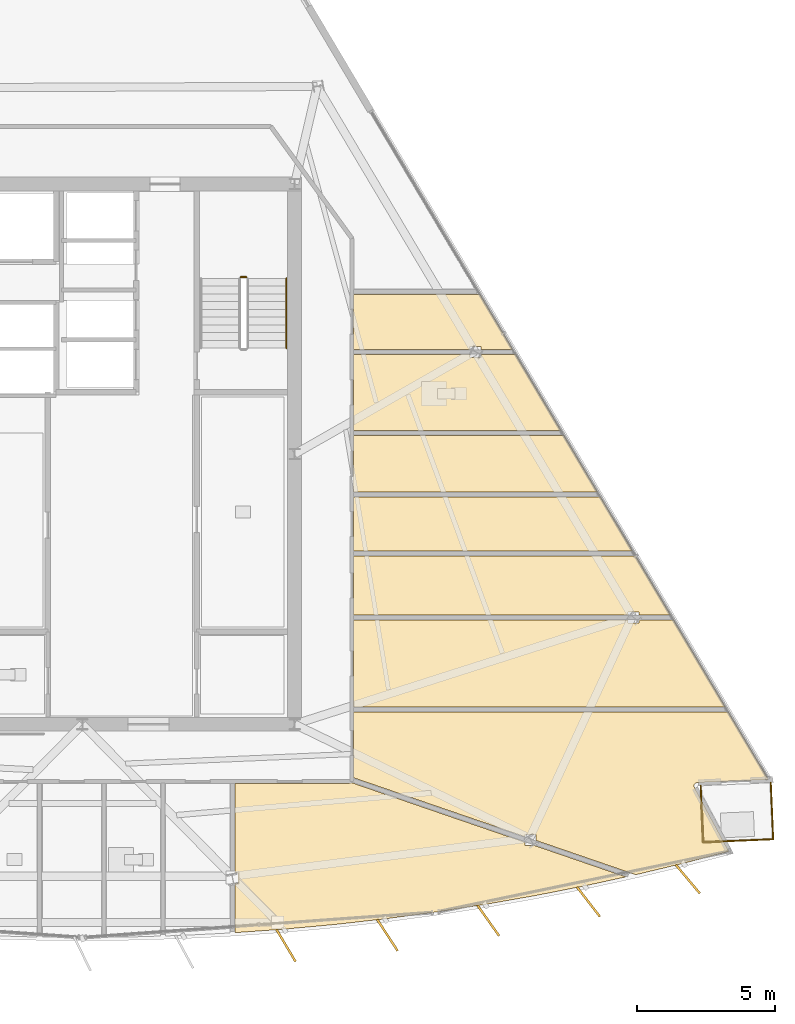
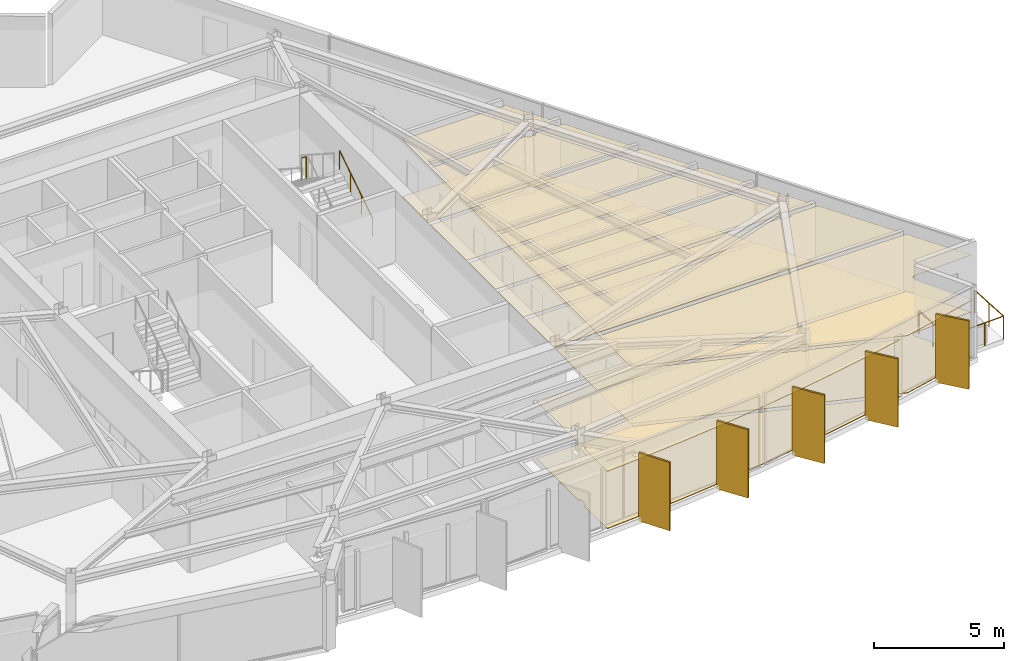
# One storey, part 13 of 14: 16 coverings, 5 railings, 5 shading devices.
"""IFC4 building model written with IfcOpenShell, lengths in metres."""

from ifc_helpers import new_model, si_unit, direction, frame, origin, origin_2d, place, context, subcontext, project, spatial, polyline, rectangle, circle, outline, extrude, material, layer, layer_set, type_object, element, save


model = new_model("IFC4")

# Units and contexts
model_context = context("Model", 3, precision=1e-05, world=origin(), true_north=direction((0.0, 1.0)))
body_context = subcontext(model_context, "Body", "Model", "MODEL_VIEW")
ifc_project = project(units=[si_unit("LENGTHUNIT", "METRE"), si_unit("AREAUNIT", "SQUARE_METRE"), si_unit("VOLUMEUNIT", "CUBIC_METRE"), si_unit("PLANEANGLEUNIT", "RADIAN"), si_unit("MASSUNIT", "GRAM", prefix="KILO")], contexts=[model_context])

# Site, building, storey
site_placement = place(None, origin())
site = spatial("IfcSite", under=ifc_project, at=site_placement, CompositionType="ELEMENT")
building_placement = place(site_placement, origin())
building = spatial("IfcBuilding", under=site, at=building_placement, Name="Savorim Split Tower", CompositionType="ELEMENT")
storey_placement = place(building_placement, frame((0.0, 0.0, 230.699951171875)))
storey = spatial("IfcBuildingStorey", under=building, at=storey_placement, Name="L61", CompositionType="ELEMENT", Elevation=230.699951171875)

# Coverings
ifc_material_1 = material(Name="Mineral Fibre Acoustic Ceiling")
ifc_layer_1 = layer(ifc_material_1, 0.02490234375)
ifc_layer_set_1 = layer_set([ifc_layer_1], Name="COV-CEIL-25")
covering_type_1 = type_object("IfcCoveringType", Name="COV-CEIL-25", PredefinedType="CEILING", material=ifc_layer_set_1)
covering_1_placement = place(storey_placement, frame((0.0, 0.0, 2.670166015625)))
element("IfcCovering", 1, at=covering_1_placement, inside=storey, type_object=covering_type_1, Name="L61 Co-Working Commons Acoustic Ceiling", PredefinedType="CEILING", context=body_context, shape_type="SweptSolid", body=[
    extrude(outline(polyline([(14.62841796875, -15.9326171875), (16.4375, -15.61474609375), (18.23974609375, -15.260009765625), (19.718505859375, -14.937255859375), (16.3779296875, -13.78955078125), (16.06591796875, -13.78955078125), (16.06591796875, -13.682373046875), (9.772216796875, -11.519775390625), (9.76611328125, -11.5234375), (9.753662109375, -11.529296875), (9.740478515625, -11.533935546875), (9.727294921875, -11.537353515625), (9.713623046875, -11.539306640625), (9.699951171875, -11.5400390625), (5.54541015625, -11.5400390625), (5.54541015625, -14.785888671875), (5.6474609375, -14.785888671875), (5.6474609375, -15.177734375), (5.54541015625, -15.177734375), (5.54541015625, -16.91650390625), (5.54541015625, -16.9609375), (7.3388671875, -16.832275390625), (9.167724609375, -16.663330078125), (10.992919921875, -16.45703125), (12.8134765625, -16.21337890625), (14.62841796875, -15.9326171875)])), origin(), (0.0, 0.0, 1.0), 0.02490234375),
])
covering_2_placement = place(storey_placement, frame((0.0, 0.0, 2.670166015625)))
element("IfcCovering", 2, at=covering_2_placement, inside=storey, type_object=covering_type_1, Name="L61 Maker Workshop Acoustic Ceiling", PredefinedType="CEILING", context=body_context, shape_type="SweptSolid", body=[
    extrude(outline(polyline([(22.282958984375, -11.518310546875), (22.294189453125, -11.516357421875), (22.305908203125, -11.51513671875), (24.887451171875, -11.405517578125), (23.43212890625, -8.958251953125), (9.840087890625, -8.958251953125), (9.840087890625, -11.34228515625), (16.06591796875, -13.4814453125), (16.06591796875, -13.397705078125), (16.4599609375, -13.397705078125), (16.4599609375, -13.61669921875), (20.074462890625, -14.85888671875), (21.8203125, -14.440185546875), (23.450927734375, -14.013671875), (22.205078125, -11.69189453125), (22.2001953125, -11.681396484375), (22.1962890625, -11.670654296875), (22.193359375, -11.659423828125), (22.191650390625, -11.64794921875), (22.19091796875, -11.636474609375), (22.19140625, -11.625), (22.19287109375, -11.613525390625), (22.195556640625, -11.602294921875), (22.19921875, -11.59130859375), (22.203857421875, -11.580810546875), (22.209716796875, -11.57080078125), (22.21630859375, -11.561279296875), (22.223876953125, -11.552490234375), (22.232177734375, -11.544677734375), (22.2412109375, -11.537353515625), (22.2509765625, -11.53125), (22.26123046875, -11.52587890625), (22.27197265625, -11.521484375), (22.282958984375, -11.518310546875)])), origin(), (0.0, 0.0, 1.0), 0.02490234375),
])
covering_3_placement = place(storey_placement, frame((0.0, 0.0, 2.670166015625)))
element("IfcCovering", 3, at=covering_3_placement, inside=storey, type_object=covering_type_1, Name="L61 Co-Living Bedroom Acoustic Ceiling", PredefinedType="CEILING", context=body_context, shape_type="SweptSolid", body=[
    extrude(outline(polyline([(19.800048828125, -5.720947265625), (19.800048828125, -5.619873046875), (9.840087890625, -5.619873046875), (9.840087890625, -8.768310546875), (23.3193359375, -8.768310546875), (21.427490234375, -5.5869140625), (21.427490234375, -5.619873046875), (20.194091796875, -5.619873046875), (20.194091796875, -5.720947265625), (19.800048828125, -5.720947265625)])), origin(), (0.0, 0.0, 1.0), 0.02490234375),
])
covering_4_placement = place(storey_placement, frame((0.0, 0.0, 2.670166015625)))
element("IfcCovering", 4, at=covering_4_placement, inside=storey, type_object=covering_type_1, Name="L61 Quiet Study Room Acoustic Ceiling", PredefinedType="CEILING", context=body_context, shape_type="SweptSolid", body=[
    extrude(outline(polyline([(20.194091796875, -5.328857421875), (20.194091796875, -5.429931640625), (21.33251953125, -5.429931640625), (21.334228515625, -5.429931640625), (20.068115234375, -3.30029296875), (9.840087890625, -3.30029296875), (9.840087890625, -5.429931640625), (19.800048828125, -5.429931640625), (19.800048828125, -5.328857421875), (20.194091796875, -5.328857421875)])), origin(), (0.0, 0.0, 1.0), 0.02490234375),
])
covering_5_placement = place(storey_placement, frame((0.0, 0.0, 2.670166015625)))
element("IfcCovering", 5, at=covering_5_placement, inside=storey, type_object=covering_type_1, Name="L61 Quiet Study Room Acoustic Ceiling", PredefinedType="CEILING", context=body_context, shape_type="SweptSolid", body=[
    extrude(outline(polyline([(19.955078125, -3.1103515625), (18.793212890625, -1.156494140625), (9.840087890625, -1.156494140625), (9.840087890625, -3.1103515625), (19.955078125, -3.1103515625)])), origin(), (0.0, 0.0, 1.0), 0.02490234375),
])
covering_6_placement = place(storey_placement, frame((0.0, 0.0, 2.670166015625)))
element("IfcCovering", 6, at=covering_6_placement, inside=storey, type_object=covering_type_1, Name="L61 Co-Living Bedroom Acoustic Ceiling", PredefinedType="CEILING", context=body_context, shape_type="SweptSolid", body=[
    extrude(outline(polyline([(18.68017578125, -0.96630859375), (17.466064453125, 1.075439453125), (9.840087890625, 1.075439453125), (9.840087890625, -0.96630859375), (18.68017578125, -0.96630859375)])), origin(), (0.0, 0.0, 1.0), 0.02490234375),
])
covering_7_placement = place(storey_placement, frame((0.0, 0.0, 2.670166015625)))
element("IfcCovering", 7, at=covering_7_placement, inside=storey, type_object=covering_type_1, Name="L61 Shared Bathroom Acoustic Ceiling", PredefinedType="CEILING", context=body_context, shape_type="SweptSolid", body=[
    extrude(outline(polyline([(14.07177734375, 3.91259765625), (14.07177734375, 4.013671875), (9.840087890625, 4.013671875), (9.840087890625, 1.265380859375), (17.35302734375, 1.265380859375), (15.69921875, 4.046630859375), (15.69921875, 4.013671875), (14.4658203125, 4.013671875), (14.4658203125, 3.91259765625), (14.07177734375, 3.91259765625)])), origin(), (0.0, 0.0, 1.0), 0.02490234375),
])
covering_8_placement = place(storey_placement, frame((0.0, 0.0, 2.670166015625)))
element("IfcCovering", 8, at=covering_8_placement, inside=storey, type_object=covering_type_1, Name="L61 Quiet Study Room Acoustic Ceiling", PredefinedType="CEILING", context=body_context, shape_type="SweptSolid", body=[
    extrude(outline(polyline([(14.4658203125, 4.20361328125), (15.604248046875, 4.20361328125), (15.60595703125, 4.20361328125), (14.422119140625, 6.194580078125), (9.840087890625, 6.194580078125), (9.840087890625, 4.20361328125), (14.07177734375, 4.20361328125), (14.07177734375, 4.3046875), (14.4658203125, 4.3046875), (14.4658203125, 4.20361328125)])), origin(), (0.0, 0.0, 1.0), 0.02490234375),
])
ifc_material_2 = material(Name="Porcelain Stoneware Flooring", Category="masonry")
ifc_layer_2 = layer(ifc_material_2, 0.02001953125)
ifc_layer_set_2 = layer_set([ifc_layer_2], Name="COV-FLOR-20")
covering_type_2 = type_object("IfcCoveringType", Name="COV-FLOR-20", PredefinedType="FLOORING", material=ifc_layer_set_2)
covering_9_placement = place(storey_placement, origin())
element("IfcCovering", 9, at=covering_9_placement, inside=storey, type_object=covering_type_2, Name="L61 Co-Working Commons Porcelain Flooring", PredefinedType="FLOORING", context=body_context, shape_type="SweptSolid", body=[
    extrude(outline(polyline([(14.62841796875, -15.9326171875), (16.4375, -15.61474609375), (18.23974609375, -15.260009765625), (19.718505859375, -14.937255859375), (16.3779296875, -13.78955078125), (16.06591796875, -13.78955078125), (16.06591796875, -13.682373046875), (9.772216796875, -11.519775390625), (9.76611328125, -11.5234375), (9.753662109375, -11.529296875), (9.740478515625, -11.533935546875), (9.727294921875, -11.537353515625), (9.713623046875, -11.539306640625), (9.699951171875, -11.5400390625), (5.54541015625, -11.5400390625), (5.54541015625, -14.785888671875), (5.6474609375, -14.785888671875), (5.6474609375, -15.177734375), (5.54541015625, -15.177734375), (5.54541015625, -16.91650390625), (5.54541015625, -16.9609375), (7.3388671875, -16.832275390625), (9.167724609375, -16.663330078125), (10.992919921875, -16.45703125), (12.8134765625, -16.21337890625), (14.62841796875, -15.9326171875)])), origin(), (0.0, 0.0, 1.0), 0.02001953125),
])
covering_10_placement = place(storey_placement, origin())
element("IfcCovering", 10, at=covering_10_placement, inside=storey, type_object=covering_type_2, Name="L61 Maker Workshop Porcelain Flooring", PredefinedType="FLOORING", context=body_context, shape_type="SweptSolid", body=[
    extrude(outline(polyline([(22.282958984375, -11.518310546875), (22.294189453125, -11.516357421875), (22.305908203125, -11.51513671875), (24.887451171875, -11.405517578125), (23.43212890625, -8.958251953125), (9.840087890625, -8.958251953125), (9.840087890625, -11.34228515625), (16.06591796875, -13.4814453125), (16.06591796875, -13.397705078125), (16.4599609375, -13.397705078125), (16.4599609375, -13.61669921875), (20.074462890625, -14.85888671875), (21.8203125, -14.440185546875), (23.450927734375, -14.013671875), (22.205078125, -11.69189453125), (22.2001953125, -11.681396484375), (22.1962890625, -11.670654296875), (22.193359375, -11.659423828125), (22.191650390625, -11.64794921875), (22.19091796875, -11.636474609375), (22.19140625, -11.625), (22.19287109375, -11.613525390625), (22.195556640625, -11.602294921875), (22.19921875, -11.59130859375), (22.203857421875, -11.580810546875), (22.209716796875, -11.57080078125), (22.21630859375, -11.561279296875), (22.223876953125, -11.552490234375), (22.232177734375, -11.544677734375), (22.2412109375, -11.537353515625), (22.2509765625, -11.53125), (22.26123046875, -11.52587890625), (22.27197265625, -11.521484375), (22.282958984375, -11.518310546875)])), origin(), (0.0, 0.0, 1.0), 0.02001953125),
])
covering_11_placement = place(storey_placement, origin())
element("IfcCovering", 11, at=covering_11_placement, inside=storey, type_object=covering_type_2, Name="L61 Co-Living Bedroom Porcelain Flooring", PredefinedType="FLOORING", context=body_context, shape_type="SweptSolid", body=[
    extrude(outline(polyline([(19.800048828125, -5.720947265625), (19.800048828125, -5.619873046875), (9.840087890625, -5.619873046875), (9.840087890625, -8.768310546875), (23.3193359375, -8.768310546875), (21.427490234375, -5.5869140625), (21.427490234375, -5.619873046875), (20.194091796875, -5.619873046875), (20.194091796875, -5.720947265625), (19.800048828125, -5.720947265625)])), origin(), (0.0, 0.0, 1.0), 0.02001953125),
])
covering_12_placement = place(storey_placement, origin())
element("IfcCovering", 12, at=covering_12_placement, inside=storey, type_object=covering_type_2, Name="L61 Quiet Study Room Porcelain Flooring", PredefinedType="FLOORING", context=body_context, shape_type="SweptSolid", body=[
    extrude(outline(polyline([(20.194091796875, -5.328857421875), (20.194091796875, -5.429931640625), (21.33251953125, -5.429931640625), (21.334228515625, -5.429931640625), (20.068115234375, -3.30029296875), (9.840087890625, -3.30029296875), (9.840087890625, -5.429931640625), (19.800048828125, -5.429931640625), (19.800048828125, -5.328857421875), (20.194091796875, -5.328857421875)])), origin(), (0.0, 0.0, 1.0), 0.02001953125),
])
covering_13_placement = place(storey_placement, origin())
element("IfcCovering", 13, at=covering_13_placement, inside=storey, type_object=covering_type_2, Name="L61 Quiet Study Room Porcelain Flooring", PredefinedType="FLOORING", context=body_context, shape_type="SweptSolid", body=[
    extrude(outline(polyline([(19.955078125, -3.1103515625), (18.793212890625, -1.156494140625), (9.840087890625, -1.156494140625), (9.840087890625, -3.1103515625), (19.955078125, -3.1103515625)])), origin(), (0.0, 0.0, 1.0), 0.02001953125),
])
covering_14_placement = place(storey_placement, origin())
element("IfcCovering", 14, at=covering_14_placement, inside=storey, type_object=covering_type_2, Name="L61 Co-Living Bedroom Porcelain Flooring", PredefinedType="FLOORING", context=body_context, shape_type="SweptSolid", body=[
    extrude(outline(polyline([(18.68017578125, -0.96630859375), (17.466064453125, 1.075439453125), (9.840087890625, 1.075439453125), (9.840087890625, -0.96630859375), (18.68017578125, -0.96630859375)])), origin(), (0.0, 0.0, 1.0), 0.02001953125),
])
covering_15_placement = place(storey_placement, origin())
element("IfcCovering", 15, at=covering_15_placement, inside=storey, type_object=covering_type_2, Name="L61 Shared Bathroom Porcelain Flooring", PredefinedType="FLOORING", context=body_context, shape_type="SweptSolid", body=[
    extrude(outline(polyline([(14.07177734375, 3.91259765625), (14.07177734375, 4.013671875), (9.840087890625, 4.013671875), (9.840087890625, 1.265380859375), (17.35302734375, 1.265380859375), (15.69921875, 4.046630859375), (15.69921875, 4.013671875), (14.4658203125, 4.013671875), (14.4658203125, 3.91259765625), (14.07177734375, 3.91259765625)])), origin(), (0.0, 0.0, 1.0), 0.02001953125),
])
covering_16_placement = place(storey_placement, origin())
element("IfcCovering", 16, at=covering_16_placement, inside=storey, type_object=covering_type_2, Name="L61 Quiet Study Room Porcelain Flooring", PredefinedType="FLOORING", context=body_context, shape_type="SweptSolid", body=[
    extrude(outline(polyline([(14.4658203125, 4.20361328125), (15.604248046875, 4.20361328125), (15.60595703125, 4.20361328125), (14.422119140625, 6.194580078125), (9.840087890625, 6.194580078125), (9.840087890625, 4.20361328125), (14.07177734375, 4.20361328125), (14.07177734375, 4.3046875), (14.4658203125, 4.3046875), (14.4658203125, 4.20361328125)])), origin(), (0.0, 0.0, 1.0), 0.02001953125),
])

# Railings
ifc_material_3 = material(Name="Galvanised Painted Steel Balustrade", Category="steel")
railing_type_1 = type_object("IfcRailingType", Name="RLG-BAL-1100", PredefinedType="BALUSTRADE", material=ifc_material_3)
railing_1_placement = place(storey_placement, frame((24.973388671875, -11.521728515625, 0.0)))
element("IfcRailing", 17, at=railing_1_placement, inside=storey, type_object=railing_type_1, Name="L61 Tree Balcony Guardrail SE-1", PredefinedType="BALUSTRADE", context=body_context, shape_type="SweptSolid", body=[
    extrude(circle(Radius=0.02392578125, at=origin_2d()), frame((0.0, 0.0, 1.076171875), z_axis=(0.042517246, -0.999095733047, 0.0), x_axis=(0.999095733047, 0.042517246, 0.0)), (0.0, 0.0, 1.0), 2.050048828125),
    extrude(circle(Radius=0.02099609375, at=origin_2d()), origin(), (0.0, 0.0, 1.0), 1.052001953125),
    extrude(circle(Radius=0.02099609375, at=origin_2d()), frame((0.04345703125, -1.02392578125, 0.0)), (0.0, 0.0, 1.0), 1.052001953125),
    extrude(circle(Radius=0.02099609375, at=origin_2d()), frame((0.087158203125, -2.048095703125, 0.0)), (0.0, 0.0, 1.0), 1.052001953125),
])
railing_2_placement = place(storey_placement, frame((25.060546875, -13.56982421875, 0.0)))
element("IfcRailing", 18, at=railing_2_placement, inside=storey, type_object=railing_type_1, Name="L61 Tree Balcony Guardrail SE-2", PredefinedType="BALUSTRADE", context=body_context, shape_type="SweptSolid", body=[
    extrude(circle(Radius=0.02392578125, at=origin_2d()), frame((0.0, 0.0, 1.076171875), z_axis=(-0.999096447508, -0.042500453836, 0.0), x_axis=(0.042500453836, -0.999096447508, 0.0)), (0.0, 0.0, 1.0), 2.544677734375),
    extrude(circle(Radius=0.02099609375, at=origin_2d()), origin(), (0.0, 0.0, 1.0), 1.052001953125),
    extrude(circle(Radius=0.02099609375, at=origin_2d()), frame((-0.847412109375, -0.0361328125, 0.0)), (0.0, 0.0, 1.0), 1.052001953125),
    extrude(circle(Radius=0.02099609375, at=origin_2d()), frame((-1.695068359375, -0.072021484375, 0.0)), (0.0, 0.0, 1.0), 1.052001953125),
    extrude(circle(Radius=0.02099609375, at=origin_2d()), frame((-2.54248046875, -0.108154296875, 0.0)), (0.0, 0.0, 1.0), 1.052001953125),
])
railing_3_placement = place(storey_placement, frame((22.51806640625, -13.677978515625, 0.0)))
element("IfcRailing", 19, at=railing_3_placement, inside=storey, type_object=railing_type_1, Name="L61 Tree Balcony Guardrail SE-3", PredefinedType="BALUSTRADE", context=body_context, shape_type="SweptSolid", body=[
    extrude(circle(Radius=0.02392578125, at=origin_2d()), frame((0.0, 0.0, 1.076171875), z_axis=(-0.042517246, 0.999095733047, 0.0), x_axis=(-0.999095733047, -0.042517246, 0.0)), (0.0, 0.0, 1.0), 2.050048828125),
    extrude(circle(Radius=0.02099609375, at=origin_2d()), origin(), (0.0, 0.0, 1.0), 1.052001953125),
    extrude(circle(Radius=0.02099609375, at=origin_2d()), frame((-0.04345703125, 1.02392578125, 0.0)), (0.0, 0.0, 1.0), 1.052001953125),
    extrude(circle(Radius=0.02099609375, at=origin_2d()), frame((-0.087158203125, 2.048095703125, 0.0)), (0.0, 0.0, 1.0), 1.052001953125),
])
railing_type_2 = type_object("IfcRailingType", Name="RLG-HR-900", PredefinedType="HANDRAIL", material=ifc_material_3)
railing_4_placement = place(storey_placement, frame((7.39990234375, 4.25, 0.179931640625)))
element("IfcRailing", 20, at=railing_4_placement, inside=storey, type_object=railing_type_2, Name="L61 ST-2 stair handrail 1", PredefinedType="HANDRAIL", context=body_context, shape_type="SweptSolid", body=[
    extrude(circle(Radius=0.02392578125, at=origin_2d()), frame((0.0, 0.0, 0.8759765625), z_axis=(0.0, 0.841162588446, 0.540782303519), x_axis=(-1.0, 0.0, 0.0)), (0.0, 0.0, 1.0), 2.995849609375),
    extrude(circle(Radius=0.02099609375, at=origin_2d()), origin(), (0.0, 0.0, 1.0), 0.851806640625),
    extrude(circle(Radius=0.02099609375, at=origin_2d()), frame((0.0, 0.840087890625, 0.5400390625)), (0.0, 0.0, 1.0), 0.851806640625),
    extrude(circle(Radius=0.02099609375, at=origin_2d()), frame((0.0, 1.679931640625, 1.080078125)), (0.0, 0.0, 1.0), 0.851806640625),
    extrude(circle(Radius=0.02099609375, at=origin_2d()), frame((0.0, 2.52001953125, 1.6201171875)), (0.0, 0.0, 1.0), 0.851806640625),
])
railing_type_3 = type_object("IfcRailingType", Name="RLG-STG-1100", PredefinedType="BALUSTRADE", material=ifc_material_3)
railing_5_placement = place(storey_placement, frame((5.949951171875, 6.820068359375, 1.800048828125)))
element("IfcRailing", 21, at=railing_5_placement, inside=storey, type_object=railing_type_3, Name="L61 ST-2 stair guard 2", PredefinedType="BALUSTRADE", context=body_context, shape_type="SweptSolid", body=[
    extrude(circle(Radius=0.02392578125, at=origin_2d()), frame((0.0, 0.0, 1.076171875), z_axis=(-1.0, 0.0, 0.0), x_axis=(0.0, -1.0, 0.0)), (0.0, 0.0, 1.0), 0.199951171875),
    extrude(circle(Radius=0.02099609375, at=origin_2d()), origin(), (0.0, 0.0, 1.0), 1.052001953125),
    extrude(circle(Radius=0.02099609375, at=origin_2d()), frame((-0.199951171875, 0.0, 0.0)), (0.0, 0.0, 1.0), 1.052001953125),
])

# Shading devices
ifc_material_4 = material(Name="Terracotta Ceramic-Coated Aluminium Fin", Category="masonry")
shading_device_type = type_object("IfcShadingDeviceType", Name="SHD-FIN-1360", PredefinedType="USERDEFINED", material=ifc_material_4)
for number, where, z_axis, x_axis, name in (
    (22, (7.3876953125, -17.42626953125, -0.19970703125), (0.0, 0.0, 1.0), (0.510391336723, -0.859942255851, 0.0), "L61 Sawtooth Shading Fin 09"),
    (23, (11.06591796875, -17.048583984375, -0.19970703125), (0.0, 0.0, 1.0), (0.545148321708, -0.838339613366, 0.0), "L61 Sawtooth Shading Fin 10"),
    (24, (14.7255859375, -16.520751953125, -0.19970703125), (0.0, 0.0, 1.0), (0.578993757737, -0.815331974414, 0.0), "L61 Sawtooth Shading Fin 11"),
    (25, (18.36083984375, -15.843505859375, -0.19970703125), (0.0, 0.0, 1.0), (0.611868076908, -0.790959832394, 0.0), "L61 Sawtooth Shading Fin 12"),
    (26, (21.965087890625, -15.018310546875, -0.19970703125), (0.0, 0.0, 1.0), (0.643719022682, -0.765261928909, 0.0), "L61 Sawtooth Shading Fin 13"),
):
    element("IfcShadingDevice", number, at=place(storey_placement, frame(where, z_axis=z_axis, x_axis=x_axis)), inside=storey, type_object=shading_device_type, Name=name, ObjectType="FIN", PredefinedType="USERDEFINED", context=body_context, shape_type="SweptSolid", body=[
        extrude(rectangle(XDim=1.360107421875, YDim=0.080078125, at=origin_2d()), origin(), (0.0, 0.0, 1.0), 3.199951171875),
    ])

save(model, "model.ifc")
